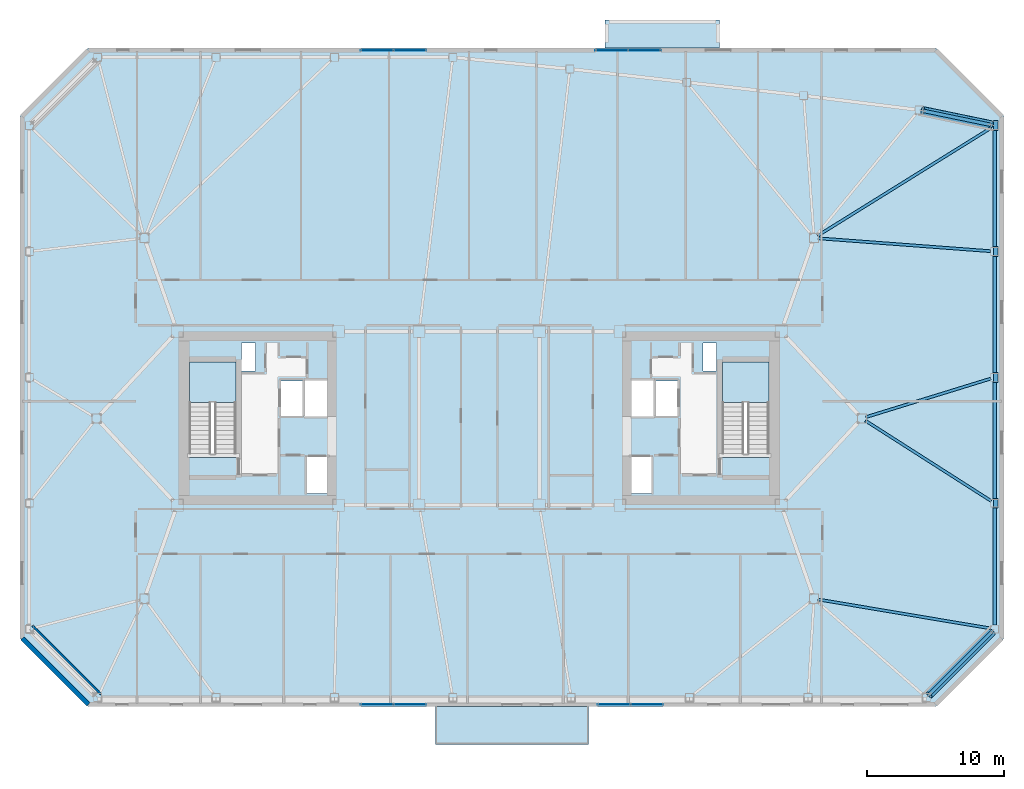
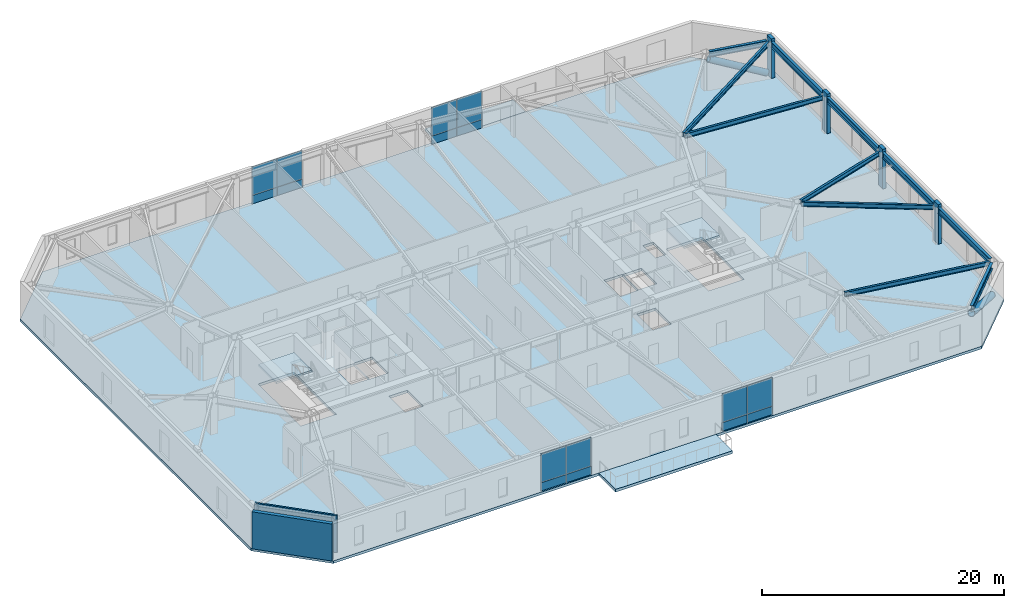
# One storey, part 9 of 19: 16 plates, 11 beams, 6 members, 5 slabs, 2 walls, 6 elements without a shape of their own.
"""IFC4 building model written with IfcOpenShell, lengths in metres."""

from ifc_helpers import new_model, si_unit, direction, frame, frame_2d, origin, origin_2d, place, context, subcontext, project, spatial, polyline, rectangle, hollow_circle, i_section, outline, extrude, material, layer, layer_set, material_profile, profile_set, type_object, element, aggregate, save


model = new_model("IFC4")

# Units and contexts
model_context = context("Model", 3, precision=1e-05, world=origin(), true_north=direction((0.0, 1.0)))
body_context = subcontext(model_context, "Body", "Model", "MODEL_VIEW")
ifc_project = project(units=[si_unit("LENGTHUNIT", "METRE"), si_unit("AREAUNIT", "SQUARE_METRE"), si_unit("VOLUMEUNIT", "CUBIC_METRE"), si_unit("PLANEANGLEUNIT", "RADIAN"), si_unit("MASSUNIT", "GRAM", prefix="KILO")], contexts=[model_context])

# Site, building, storey
site_placement = place(None, origin())
site = spatial("IfcSite", under=ifc_project, at=site_placement, CompositionType="ELEMENT")
building_placement = place(site_placement, origin())
building = spatial("IfcBuilding", under=site, at=building_placement, Name="Tavrogorsk Clinical Tower", CompositionType="ELEMENT")
storey_placement = place(building_placement, frame((0.0, 0.0, 188.199951171875)))
storey = spatial("IfcBuildingStorey", under=building, at=storey_placement, Name="L43", CompositionType="ELEMENT", Elevation=188.199951171875)

# Members
ifc_material_1 = material(Name="Structural steel S440", Category="steel")
ifc_material_profile_1 = material_profile(ifc_material_1, hollow_circle(Radius=0.304931640625, WallThickness=0.02490234375, at=origin_2d()), Name="CHS-610x25")
ifc_profile_set_1 = profile_set([ifc_material_profile_1], Name="Structural steel S440")
member_type_1 = type_object("IfcMemberType", Name="ExoBrace_CHS610", PredefinedType="BRACE", material=ifc_profile_set_1)
member_1_placement = place(storey_placement, frame((37.517333984375, -15.62255859375, 0.4130859375), z_axis=(-0.657738695475, -0.657773644396, 0.3670335696), x_axis=(0.707125566484, -0.70708799539, 0.0)))
element("IfcMember", 1, at=member_1_placement, inside=storey, type_object=member_type_1, Name="L43 Corner Exoskeleton Brace S8-E1", PredefinedType="BRACE", context=body_context, shape_type="SweptSolid", body=[
    extrude(hollow_circle(Radius=0.304931640625, WallThickness=0.02490234375, at=origin_2d()), origin(), (0.0, 0.0, 1.0), 6.985595703125),
])
member_2_placement = place(storey_placement, frame((37.44970703125, 21.47607421875, 0.4365234375), z_axis=(-0.877871206027, 0.181924853718, 0.442996042002), x_axis=(-0.202922555913, -0.979194789764, 0.0)))
element("IfcMember", 2, at=member_2_placement, inside=storey, type_object=member_type_1, Name="L43 Corner Exoskeleton Brace E5-N1", PredefinedType="BRACE", context=body_context, shape_type="SweptSolid", body=[
    extrude(hollow_circle(Radius=0.304931640625, WallThickness=0.02490234375, at=origin_2d()), origin(), (0.0, 0.0, 1.0), 5.681884765625),
])

# Beams
ifc_material_2 = material(Name="Structural steel S355", Category="steel")
ifc_material_profile_2 = material_profile(ifc_material_2, i_section(OverallWidth=0.199951171875, OverallDepth=0.449951171875, WebThickness=0.011474609375, FlangeThickness=0.01806640625, at=origin_2d()), Name="B-450x200x11.5x18")
ifc_profile_set_2 = profile_set([ifc_material_profile_2], Name="Structural steel S355")
beam_type_1 = type_object("IfcBeamType", Name="FloorBeam_B450", PredefinedType="BEAM", material=ifc_profile_set_2)
beam_1_placement = place(storey_placement, frame((24.8056640625, -13.251220703125, 3.51513671875), z_axis=(0.986191418361, -0.165609439197, 0.0), x_axis=(0.165609439197, 0.986191418361, 0.0)))
element("IfcBeam", 3, at=beam_1_placement, inside=storey, type_object=beam_type_1, Name="L43 Radial Floor Beam E1", PredefinedType="BEAM", context=body_context, shape_type="SweptSolid", body=[
    extrude(i_section(OverallWidth=0.199951171875, OverallDepth=0.449951171875, WebThickness=0.011474609375, FlangeThickness=0.01806640625, at=origin_2d()), origin(), (0.0, 0.0, 1.0), 12.787109375),
])
beam_2_placement = place(storey_placement, frame((28.26123046875, -0.1669921875, 3.51513671875), z_axis=(0.842699642064, -0.538383983106, 0.0), x_axis=(0.538383983106, 0.842699642064, 0.0)))
element("IfcBeam", 4, at=beam_2_placement, inside=storey, type_object=beam_type_1, Name="L43 Radial Floor Beam E2", PredefinedType="BEAM", context=body_context, shape_type="SweptSolid", body=[
    extrude(i_section(OverallWidth=0.199951171875, OverallDepth=0.449951171875, WebThickness=0.011474609375, FlangeThickness=0.01806640625, at=origin_2d()), origin(), (0.0, 0.0, 1.0), 10.916259765625),
])
beam_3_placement = place(storey_placement, frame((28.296142578125, 0.09130859375, 3.51513671875), z_axis=(0.955521187686, 0.294922464187, 0.0), x_axis=(-0.294922464187, 0.955521187686, 0.0)))
element("IfcBeam", 5, at=beam_3_placement, inside=storey, type_object=beam_type_1, Name="L43 Radial Floor Beam E3", PredefinedType="BEAM", context=body_context, shape_type="SweptSolid", body=[
    extrude(i_section(OverallWidth=0.199951171875, OverallDepth=0.449951171875, WebThickness=0.011474609375, FlangeThickness=0.01806640625, at=origin_2d()), origin(), (0.0, 0.0, 1.0), 9.5546875),
])
beam_4_placement = place(storey_placement, frame((24.80908203125, 13.1767578125, 3.51513671875), z_axis=(0.997207767172, -0.074677098845, 0.0), x_axis=(0.074677098845, 0.997207767172, 0.0)))
element("IfcBeam", 6, at=beam_4_placement, inside=storey, type_object=beam_type_1, Name="L43 Radial Floor Beam E4", PredefinedType="BEAM", context=body_context, shape_type="SweptSolid", body=[
    extrude(i_section(OverallWidth=0.199951171875, OverallDepth=0.449951171875, WebThickness=0.011474609375, FlangeThickness=0.01806640625, at=origin_2d()), origin(), (0.0, 0.0, 1.0), 12.63916015625),
])
beam_5_placement = place(storey_placement, frame((24.76318359375, 13.36376953125, 3.51513671875), z_axis=(0.849229115923, 0.528024534154, 0.0), x_axis=(-0.528024534154, 0.849229115923, 0.0)))
element("IfcBeam", 7, at=beam_5_placement, inside=storey, type_object=beam_type_1, Name="L43 Radial Floor Beam E5", PredefinedType="BEAM", context=body_context, shape_type="SweptSolid", body=[
    extrude(i_section(OverallWidth=0.199951171875, OverallDepth=0.449951171875, WebThickness=0.011474609375, FlangeThickness=0.01806640625, at=origin_2d()), origin(), (0.0, 0.0, 1.0), 14.94921875),
])

# Members
ifc_material_3 = material(Name="Precast concrete B45 with limestone cladding", Category="masonry")
ifc_material_profile_3 = material_profile(ifc_material_3, rectangle(XDim=0.320068359375, YDim=0.719970703125, at=origin_2d()), Name="LIMESTONE-FIN-320x720")
ifc_profile_set_3 = profile_set([ifc_material_profile_3], Name="Precast concrete B45 with limestone cladding")
member_type_2 = type_object("IfcMemberType", Name="LimestonePleatFin_320x720", PredefinedType="USERDEFINED", material=ifc_profile_set_3)
for number, where, z_axis, x_axis, name in (
    (8, (37.800048828125, -6.2099609375, 0.0), (0.0, 0.0, 1.0), (1.0, 0.0, 0.0), "L43 E Pleated Stone Fin 1"),
    (9, (37.800048828125, 3.0, 0.0), (0.0, 0.0, 1.0), (1.0, 0.0, 0.0), "L43 E Pleated Stone Fin 2"),
    (10, (37.800048828125, 12.2099609375, 0.0), (0.0, 0.0, 1.0), (1.0, 0.0, 0.0), "L43 E Pleated Stone Fin 3"),
    (11, (37.800048828125, 21.419921875, 0.0), (0.0, 0.0, 1.0), (1.0, 0.0, 0.0), "L43 E Pleated Stone Fin 4"),
):
    element("IfcMember", number, at=place(storey_placement, frame(where, z_axis=z_axis, x_axis=x_axis)), inside=storey, type_object=member_type_2, Name=name, ObjectType="FIN", PredefinedType="USERDEFINED", context=body_context, shape_type="SweptSolid", body=[
        extrude(rectangle(XDim=0.320068359375, YDim=0.719970703125, at=origin_2d()), origin(), (0.0, 0.0, 1.0), 4.0),
    ])

# Beams
ifc_material_4 = material(Name="Structural steel S390", Category="steel")
ifc_material_profile_4 = material_profile(ifc_material_4, i_section(OverallWidth=0.260009765625, OverallDepth=0.60009765625, WebThickness=0.014892578125, FlangeThickness=0.02392578125, at=origin_2d()), Name="B-600x260x15x24")
ifc_profile_set_4 = profile_set([ifc_material_profile_4], Name="Structural steel S390")
beam_type_2 = type_object("IfcBeamType", Name="SpandrelBeam_B600", PredefinedType="SPANDREL", material=ifc_profile_set_4)
beam_6_placement = place(storey_placement, frame((32.937744140625, -20.2021484375, 3.43994140625), z_axis=(0.707106781187, 0.707106781187, 0.0), x_axis=(-0.707106781187, 0.707106781187, 0.0)))
element("IfcBeam", 12, at=beam_6_placement, inside=storey, type_object=beam_type_2, Name="L43 Perimeter Spandrel S8-E1", PredefinedType="SPANDREL", context=body_context, shape_type="SweptSolid", body=[
    extrude(i_section(OverallWidth=0.260009765625, OverallDepth=0.60009765625, WebThickness=0.014892578125, FlangeThickness=0.02392578125, at=origin_2d()), origin(), (0.0, 0.0, 1.0), 6.455078125),
])
for number, where, z_axis, x_axis, name in (
    (13, (37.719970703125, -15.112060546875, 3.43994140625), (0.0, 1.0, 0.0), (-1.0, 0.0, 0.0), "L43 Perimeter Spandrel E1-E2"),
    (14, (37.719970703125, -5.902099609375, 3.43994140625), (0.0, 1.0, 0.0), (-1.0, 0.0, 0.0), "L43 Perimeter Spandrel E2-E3"),
    (15, (37.719970703125, 3.30810546875, 3.43994140625), (0.0, 1.0, 0.0), (-1.0, 0.0, 0.0), "L43 Perimeter Spandrel E3-E4"),
    (16, (37.719970703125, 12.51806640625, 3.43994140625), (0.0, 1.0, 0.0), (-1.0, 0.0, 0.0), "L43 Perimeter Spandrel E4-E5"),
):
    element("IfcBeam", number, at=place(storey_placement, frame(where, z_axis=z_axis, x_axis=x_axis)), inside=storey, type_object=beam_type_2, Name=name, PredefinedType="SPANDREL", context=body_context, shape_type="SweptSolid", body=[
        extrude(i_section(OverallWidth=0.260009765625, OverallDepth=0.60009765625, WebThickness=0.014892578125, FlangeThickness=0.02392578125, at=origin_2d()), origin(), (0.0, 0.0, 1.0), 8.593994140625),
    ])
beam_7_placement = place(storey_placement, frame((37.41845703125, 21.482421875, 3.43994140625), z_axis=(-0.979184643877, 0.202971508337, 0.0), x_axis=(-0.202971508337, -0.979184643877, 0.0)))
element("IfcBeam", 17, at=beam_7_placement, inside=storey, type_object=beam_type_2, Name="L43 Perimeter Spandrel E5-N1", PredefinedType="SPANDREL", context=body_context, shape_type="SweptSolid", body=[
    extrude(i_section(OverallWidth=0.260009765625, OverallDepth=0.60009765625, WebThickness=0.014892578125, FlangeThickness=0.02392578125, at=origin_2d()), origin(), (0.0, 0.0, 1.0), 5.0302734375),
])

# Curtain wall, plates
ifc_material_5 = material(Name="Anodised aluminium and triple IGU glazing", Category="aluminium")
ifc_layer_1 = layer(ifc_material_5, 0.179931640625)
ifc_layer_set_1 = layer_set([ifc_layer_1], Name="Anodised aluminium and triple IGU glazing")
curtain_wall_type_1 = type_object("IfcCurtainWallType", Name="CW3_SouthSlot", PredefinedType="NOTDEFINED", material=ifc_layer_set_1)
curtain_wall_1_placement = place(storey_placement, origin())
curtain_wall_1 = element("IfcCurtainWall", 18, at=curtain_wall_1_placement, inside=storey, type_object=curtain_wall_type_1, Name="L43 Curtain Wall CW-L43-S-SLOT-1", PredefinedType="NOTDEFINED")
ifc_material_6 = material(Name="Honed Podolsk limestone spandrel panel", Category="masonry")
ifc_layer_2 = layer(ifc_material_6, 0.080078125)
ifc_layer_set_2 = layer_set([ifc_layer_2], Name="Honed Podolsk limestone spandrel panel")
plate_type_1 = type_object("IfcPlateType", Name="CwSpandrelStonePanel_80", PredefinedType="CURTAIN_PANEL", material=ifc_layer_set_2)
plate_1_placement = place(storey_placement, frame((-7.470947265625, -20.929931640625, 0.002197265625), z_axis=(0.0, 0.0, 1.0), x_axis=(1.0, 0.0, 0.0)))
plate_1 = element("IfcPlate", 19, at=plate_1_placement, type_object=plate_type_1, Name="CW-L43-S-SLOT-1 Stone Spandrel Panel 1", PredefinedType="CURTAIN_PANEL", context=body_context, shape_type="SweptSolid", body=[
    extrude(rectangle(XDim=2.39208984375, YDim=0.080078125, at=origin_2d()), origin(), (0.0, 0.0, 1.0), 0.8359375),
])
plate_2_placement = place(storey_placement, frame((-5.054931640625, -20.929931640625, 0.002197265625), z_axis=(0.0, 0.0, 1.0), x_axis=(1.0, 0.0, 0.0)))
plate_2 = element("IfcPlate", 20, at=plate_2_placement, type_object=plate_type_1, Name="CW-L43-S-SLOT-1 Stone Spandrel Panel 2", PredefinedType="CURTAIN_PANEL", context=body_context, shape_type="SweptSolid", body=[
    extrude(rectangle(XDim=2.39208984375, YDim=0.080078125, at=origin_2d()), origin(), (0.0, 0.0, 1.0), 0.8359375),
])

curtain_wall_2_placement = place(storey_placement, origin())
curtain_wall_2 = element("IfcCurtainWall", 21, at=curtain_wall_2_placement, inside=storey, type_object=curtain_wall_type_1, Name="L43 Curtain Wall CW-L43-S-SLOT-2", PredefinedType="NOTDEFINED")
plate_3_placement = place(storey_placement, frame((9.854736328125, -20.929931640625, 0.002197265625), z_axis=(0.0, 0.0, 1.0), x_axis=(1.0, 0.0, 0.0)))
plate_3 = element("IfcPlate", 22, at=plate_3_placement, type_object=plate_type_1, Name="CW-L43-S-SLOT-2 Stone Spandrel Panel 1", PredefinedType="CURTAIN_PANEL", context=body_context, shape_type="SweptSolid", body=[
    extrude(rectangle(XDim=2.39208984375, YDim=0.080078125, at=origin_2d()), origin(), (0.0, 0.0, 1.0), 0.8359375),
])
plate_4_placement = place(storey_placement, frame((12.270751953125, -20.929931640625, 0.002197265625), z_axis=(0.0, 0.0, 1.0), x_axis=(1.0, 0.0, 0.0)))
plate_4 = element("IfcPlate", 23, at=plate_4_placement, type_object=plate_type_1, Name="CW-L43-S-SLOT-2 Stone Spandrel Panel 2", PredefinedType="CURTAIN_PANEL", context=body_context, shape_type="SweptSolid", body=[
    extrude(rectangle(XDim=2.39208984375, YDim=0.080078125, at=origin_2d()), origin(), (0.0, 0.0, 1.0), 0.8359375),
])

ifc_material_7 = material(Name="Anodised aluminium and triple IGU glazing", Category="aluminium")
ifc_layer_3 = layer(ifc_material_7, 0.179931640625)
ifc_layer_set_3 = layer_set([ifc_layer_3], Name="Anodised aluminium and triple IGU glazing")
curtain_wall_type_2 = type_object("IfcCurtainWallType", Name="CW2_NorthSlot", PredefinedType="NOTDEFINED", material=ifc_layer_set_3)
curtain_wall_3_placement = place(storey_placement, origin())
curtain_wall_3 = element("IfcCurtainWall", 24, at=curtain_wall_3_placement, inside=storey, type_object=curtain_wall_type_2, Name="L43 Curtain Wall CW-L43-N-SLOT-1", PredefinedType="NOTDEFINED")
plate_5_placement = place(storey_placement, frame((-5.054931640625, 26.929931640625, 0.002197265625), z_axis=(0.0, 0.0, 1.0), x_axis=(-1.0, 0.0, 0.0)))
plate_5 = element("IfcPlate", 25, at=plate_5_placement, type_object=plate_type_1, Name="CW-L43-N-SLOT-1 Stone Spandrel Panel 1", PredefinedType="CURTAIN_PANEL", context=body_context, shape_type="SweptSolid", body=[
    extrude(rectangle(XDim=2.39208984375, YDim=0.080078125, at=origin_2d()), origin(), (0.0, 0.0, 1.0), 0.8359375),
])
plate_6_placement = place(storey_placement, frame((-7.470947265625, 26.929931640625, 0.002197265625), z_axis=(0.0, 0.0, 1.0), x_axis=(-1.0, 0.0, 0.0)))
plate_6 = element("IfcPlate", 26, at=plate_6_placement, type_object=plate_type_1, Name="CW-L43-N-SLOT-1 Stone Spandrel Panel 2", PredefinedType="CURTAIN_PANEL", context=body_context, shape_type="SweptSolid", body=[
    extrude(rectangle(XDim=2.39208984375, YDim=0.080078125, at=origin_2d()), origin(), (0.0, 0.0, 1.0), 0.8359375),
])

curtain_wall_4_placement = place(storey_placement, origin())
curtain_wall_4 = element("IfcCurtainWall", 27, at=curtain_wall_4_placement, inside=storey, type_object=curtain_wall_type_2, Name="L43 Curtain Wall CW-L43-N-SLOT-2", PredefinedType="NOTDEFINED")
plate_7_placement = place(storey_placement, frame((12.1181640625, 26.929931640625, 0.002197265625), z_axis=(0.0, 0.0, 1.0), x_axis=(-1.0, 0.0, 0.0)))
plate_7 = element("IfcPlate", 28, at=plate_7_placement, type_object=plate_type_1, Name="CW-L43-N-SLOT-2 Stone Spandrel Panel 1", PredefinedType="CURTAIN_PANEL", context=body_context, shape_type="SweptSolid", body=[
    extrude(rectangle(XDim=2.39208984375, YDim=0.080078125, at=origin_2d()), origin(), (0.0, 0.0, 1.0), 0.8359375),
])
plate_8_placement = place(storey_placement, frame((9.7021484375, 26.929931640625, 0.002197265625), z_axis=(0.0, 0.0, 1.0), x_axis=(-1.0, 0.0, 0.0)))
plate_8 = element("IfcPlate", 29, at=plate_8_placement, type_object=plate_type_1, Name="CW-L43-N-SLOT-2 Stone Spandrel Panel 2", PredefinedType="CURTAIN_PANEL", context=body_context, shape_type="SweptSolid", body=[
    extrude(rectangle(XDim=2.39208984375, YDim=0.080078125, at=origin_2d()), origin(), (0.0, 0.0, 1.0), 0.8359375),
])

# Plate
ifc_material_8 = material(Name="Triple low-E argon insulated glass", Category="glass")
ifc_layer_4 = layer(ifc_material_8, 0.048095703125)
ifc_layer_set_4 = layer_set([ifc_layer_4], Name="Triple low-E argon insulated glass")
plate_type_2 = type_object("IfcPlateType", Name="CwVisionGlassPanel_48", PredefinedType="CURTAIN_PANEL", material=ifc_layer_set_4)
plate_9_placement = place(storey_placement, frame((-7.470947265625, -20.929931640625, 0.862060546875), z_axis=(0.0, 0.0, 1.0), x_axis=(1.0, 0.0, 0.0)))
plate_9 = element("IfcPlate", 30, at=plate_9_placement, type_object=plate_type_2, Name="CW-L43-S-SLOT-1 Glazing Panel 1", PredefinedType="CURTAIN_PANEL", context=body_context, shape_type="SweptSolid", body=[
    extrude(rectangle(XDim=2.39208984375, YDim=0.048095703125, at=origin_2d()), origin(), (0.0, 0.0, 1.0), 2.8759765625),
])

plate_10_placement = place(storey_placement, frame((-5.054931640625, -20.929931640625, 0.862060546875), z_axis=(0.0, 0.0, 1.0), x_axis=(1.0, 0.0, 0.0)))
plate_10 = element("IfcPlate", 31, at=plate_10_placement, type_object=plate_type_2, Name="CW-L43-S-SLOT-1 Glazing Panel 2", PredefinedType="CURTAIN_PANEL", context=body_context, shape_type="SweptSolid", body=[
    extrude(rectangle(XDim=2.39208984375, YDim=0.048095703125, at=origin_2d()), origin(), (0.0, 0.0, 1.0), 2.8759765625),
])

aggregate(curtain_wall_1, [plate_1, plate_9, plate_2, plate_10])

plate_11_placement = place(storey_placement, frame((9.854736328125, -20.929931640625, 0.862060546875), z_axis=(0.0, 0.0, 1.0), x_axis=(1.0, 0.0, 0.0)))
plate_11 = element("IfcPlate", 32, at=plate_11_placement, type_object=plate_type_2, Name="CW-L43-S-SLOT-2 Glazing Panel 1", PredefinedType="CURTAIN_PANEL", context=body_context, shape_type="SweptSolid", body=[
    extrude(rectangle(XDim=2.39208984375, YDim=0.048095703125, at=origin_2d()), origin(), (0.0, 0.0, 1.0), 2.8759765625),
])

plate_12_placement = place(storey_placement, frame((12.270751953125, -20.929931640625, 0.862060546875), z_axis=(0.0, 0.0, 1.0), x_axis=(1.0, 0.0, 0.0)))
plate_12 = element("IfcPlate", 33, at=plate_12_placement, type_object=plate_type_2, Name="CW-L43-S-SLOT-2 Glazing Panel 2", PredefinedType="CURTAIN_PANEL", context=body_context, shape_type="SweptSolid", body=[
    extrude(rectangle(XDim=2.39208984375, YDim=0.048095703125, at=origin_2d()), origin(), (0.0, 0.0, 1.0), 2.8759765625),
])

aggregate(curtain_wall_2, [plate_3, plate_11, plate_4, plate_12])

plate_13_placement = place(storey_placement, frame((-5.054931640625, 26.929931640625, 0.862060546875), z_axis=(0.0, 0.0, 1.0), x_axis=(-1.0, 0.0, 0.0)))
plate_13 = element("IfcPlate", 34, at=plate_13_placement, type_object=plate_type_2, Name="CW-L43-N-SLOT-1 Glazing Panel 1", PredefinedType="CURTAIN_PANEL", context=body_context, shape_type="SweptSolid", body=[
    extrude(rectangle(XDim=2.39208984375, YDim=0.048095703125, at=origin_2d()), origin(), (0.0, 0.0, 1.0), 2.8759765625),
])

plate_14_placement = place(storey_placement, frame((-7.470947265625, 26.929931640625, 0.862060546875), z_axis=(0.0, 0.0, 1.0), x_axis=(-1.0, 0.0, 0.0)))
plate_14 = element("IfcPlate", 35, at=plate_14_placement, type_object=plate_type_2, Name="CW-L43-N-SLOT-1 Glazing Panel 2", PredefinedType="CURTAIN_PANEL", context=body_context, shape_type="SweptSolid", body=[
    extrude(rectangle(XDim=2.39208984375, YDim=0.048095703125, at=origin_2d()), origin(), (0.0, 0.0, 1.0), 2.8759765625),
])

aggregate(curtain_wall_3, [plate_5, plate_13, plate_6, plate_14])

plate_15_placement = place(storey_placement, frame((12.1181640625, 26.929931640625, 0.862060546875), z_axis=(0.0, 0.0, 1.0), x_axis=(-1.0, 0.0, 0.0)))
plate_15 = element("IfcPlate", 36, at=plate_15_placement, type_object=plate_type_2, Name="CW-L43-N-SLOT-2 Glazing Panel 1", PredefinedType="CURTAIN_PANEL", context=body_context, shape_type="SweptSolid", body=[
    extrude(rectangle(XDim=2.39208984375, YDim=0.048095703125, at=origin_2d()), origin(), (0.0, 0.0, 1.0), 2.8759765625),
])

plate_16_placement = place(storey_placement, frame((9.7021484375, 26.929931640625, 0.862060546875), z_axis=(0.0, 0.0, 1.0), x_axis=(-1.0, 0.0, 0.0)))
plate_16 = element("IfcPlate", 37, at=plate_16_placement, type_object=plate_type_2, Name="CW-L43-N-SLOT-2 Glazing Panel 2", PredefinedType="CURTAIN_PANEL", context=body_context, shape_type="SweptSolid", body=[
    extrude(rectangle(XDim=2.39208984375, YDim=0.048095703125, at=origin_2d()), origin(), (0.0, 0.0, 1.0), 2.8759765625),
])

aggregate(curtain_wall_4, [plate_7, plate_15, plate_8, plate_16])

# Slab
ifc_material_9 = material(Name="Concrete B60", Category="concrete")
ifc_layer_5 = layer(ifc_material_9, 0.239990234375)
ifc_layer_set_5 = layer_set([ifc_layer_5], Name="Concrete B60")
slab_type_1 = type_object("IfcSlabType", Name="DayroomSlab_240", PredefinedType="FLOOR", material=ifc_layer_set_5)
slab_1_placement = place(storey_placement, frame((0.0, 0.0, -0.239990234375)))
element("IfcSlab", 38, at=slab_1_placement, inside=storey, type_object=slab_type_1, Name="L43 Day-Room Box Roof DRB-06", PredefinedType="ROOF", context=body_context, shape_type="SweptSolid", body=[
    extrude(outline(polyline([(9.199951171875, 29.14990234375), (17.60009765625, 29.14990234375), (17.60009765625, 27.10009765625), (9.199951171875, 27.10009765625), (9.199951171875, 29.14990234375)])), origin(), (0.0, 0.0, 1.0), 0.239990234375),
])

# Stair, slab
ifc_material_10 = material(Name="Concrete B60", Category="concrete")
stair_type = type_object("IfcStairType", Name="CoreStairAssembly", PredefinedType="HALF_TURN_STAIR", material=ifc_material_10)
stair_1_placement = place(storey_placement, origin())
stair_1 = element("IfcStair", 39, at=stair_1_placement, inside=storey, type_object=stair_type, Name="L43 ST-W", PredefinedType="HALF_TURN_STAIR")
ifc_material_11 = material(Name="Concrete B60", Category="concrete")
ifc_layer_6 = layer(ifc_material_11, 0.199951171875)
ifc_layer_set_6 = layer_set([ifc_layer_6], Name="Concrete B60")
slab_type_2 = type_object("IfcSlabType", Name="StairLanding_200", PredefinedType="LANDING", material=ifc_layer_set_6)
slab_2_placement = place(storey_placement, frame((0.0, 0.0, 1.800048828125)))
slab_2 = element("IfcSlab", 40, at=slab_2_placement, type_object=slab_type_2, Name="ST-W landing 1", PredefinedType="LANDING", context=body_context, shape_type="SweptSolid", body=[
    extrude(outline(polyline([(-17.800048828125, 1.1650390625), (-17.800048828125, 4.125), (-21.199951171875, 4.125), (-21.199951171875, 1.1650390625), (-17.800048828125, 1.1650390625)])), origin(), (0.0, 0.0, 1.0), 0.199951171875),
])
aggregate(stair_1, [slab_2])

stair_2_placement = place(storey_placement, origin())
stair_2 = element("IfcStair", 41, at=stair_2_placement, inside=storey, type_object=stair_type, Name="L43 ST-E", PredefinedType="HALF_TURN_STAIR")
slab_3_placement = place(storey_placement, frame((0.0, 0.0, 1.800048828125)))
slab_3 = element("IfcSlab", 42, at=slab_3_placement, type_object=slab_type_2, Name="ST-E landing 1", PredefinedType="LANDING", context=body_context, shape_type="SweptSolid", body=[
    extrude(outline(polyline([(21.199951171875, 1.1650390625), (21.199951171875, 4.125), (17.800048828125, 4.125), (17.800048828125, 1.1650390625), (21.199951171875, 1.1650390625)])), origin(), (0.0, 0.0, 1.0), 0.199951171875),
])
aggregate(stair_2, [slab_3])

# Slabs
ifc_material_12 = material(Name="Concrete B60", Category="concrete")
ifc_layer_7 = layer(ifc_material_12, 0.280029296875)
ifc_layer_set_7 = layer_set([ifc_layer_7], Name="Concrete B60")
slab_type_3 = type_object("IfcSlabType", Name="TerraceRoofSlab_280", PredefinedType="ROOF", material=ifc_layer_set_7)
slab_4_placement = place(storey_placement, frame((0.0, 0.0, -0.280029296875)))
element("IfcSlab", 43, at=slab_4_placement, inside=storey, type_object=slab_type_3, Name="Spiralling Recuperation Terrace Slab", PredefinedType="ROOF", context=body_context, shape_type="SweptSolid", body=[
    extrude(outline(polyline([(8.0, -23.85009765625), (-3.199951171875, -23.85009765625), (-3.199951171875, -21.10009765625), (8.0, -21.10009765625), (8.0, -23.85009765625)])), origin(), (0.0, 0.0, 1.0), 0.280029296875),
])
ifc_material_13 = material(Name="Concrete B60", Category="concrete")
ifc_layer_8 = layer(ifc_material_13, 0.260009765625)
ifc_layer_set_8 = layer_set([ifc_layer_8], Name="Concrete B60")
slab_type_4 = type_object("IfcSlabType", Name="WardSlab_260", PredefinedType="FLOOR", material=ifc_layer_set_8)
slab_5_placement = place(storey_placement, frame((0.0, 0.0, -0.260009765625)))
element("IfcSlab", 44, at=slab_5_placement, inside=storey, type_object=slab_type_4, Name="L43 Structural Slab", PredefinedType="FLOOR", context=body_context, shape_type="SweptSolid", body=[
    extrude(outline(polyline([(-28.60009765625, -21.10009765625), (33.39990234375, -21.10009765625), (38.39990234375, -16.10009765625), (38.39990234375, 22.10009765625), (33.39990234375, 27.10009765625), (-28.60009765625, 27.10009765625), (-33.60009765625, 22.10009765625), (-33.60009765625, -16.10009765625), (-28.60009765625, -21.10009765625)]), holes=[polyline([(-17.800048828125, -2.8798828125), (-17.800048828125, 4.125), (-21.199951171875, 4.125), (-21.199951171875, -2.8798828125), (-17.800048828125, -2.8798828125)]), polyline([(21.199951171875, -2.8798828125), (21.199951171875, 4.125), (17.800048828125, 4.125), (17.800048828125, -2.8798828125), (21.199951171875, -2.8798828125)]), polyline([(-14.6201171875, 0.169921875), (-12.860107421875, 0.169921875), (-12.860107421875, 2.72998046875), (-14.6201171875, 2.72998046875), (-14.6201171875, 0.169921875)]), polyline([(-12.72998046875, -5.47998046875), (-10.969970703125, -5.47998046875), (-10.969970703125, -2.820068359375), (-12.72998046875, -2.820068359375), (-12.72998046875, -5.47998046875)]), polyline([(-12.840087890625, 0.1201171875), (-11.080078125, 0.1201171875), (-11.080078125, 2.780029296875), (-12.840087890625, 2.780029296875), (-12.840087890625, 0.1201171875)]), polyline([(12.860107421875, 0.169921875), (14.6201171875, 0.169921875), (14.6201171875, 2.72998046875), (12.860107421875, 2.72998046875), (12.860107421875, 0.169921875)]), polyline([(10.969970703125, -5.47998046875), (12.72998046875, -5.47998046875), (12.72998046875, -2.820068359375), (10.969970703125, -2.820068359375), (10.969970703125, -5.47998046875)]), polyline([(11.080078125, 0.1201171875), (12.840087890625, 0.1201171875), (12.840087890625, 2.780029296875), (11.080078125, 2.780029296875), (11.080078125, 0.1201171875)]), polyline([(-17.3798828125, 3.449951171875), (-16.3798828125, 3.449951171875), (-16.3798828125, 5.5), (-17.3798828125, 5.5), (-17.3798828125, 3.449951171875)]), polyline([(16.3798828125, 3.449951171875), (17.3798828125, 3.449951171875), (17.3798828125, 5.5), (16.3798828125, 5.5), (16.3798828125, 3.449951171875)])]), origin(), (0.0, 0.0, 1.0), 0.260009765625),
])

# Walls
ifc_material_14 = material(Name="Lightweight concrete blockwork B15", Category="masonry")
ifc_layer_9 = layer(ifc_material_14, 0.159912109375)
ifc_layer_set_9 = layer_set([ifc_layer_9], Name="Lightweight concrete blockwork B15")
wall_type_1 = type_object("IfcWallType", Name="PartitionWall_160", PredefinedType="PARTITIONING", material=ifc_layer_set_9)
wall_1_placement = place(storey_placement, frame((-32.6796875, -15.1796875, 0.0), z_axis=(0.0, 0.0, 1.0), x_axis=(0.707106781187, -0.707106781187, 0.0)))
element("IfcWall", 45, at=wall_1_placement, inside=storey, type_object=wall_type_1, Name="L43 Corner Exoskeleton Brace Furring Wall 4", PredefinedType="PARTITIONING", context=body_context, shape_type="SweptSolid", body=[
    extrude(rectangle(XDim=7.071044921875, YDim=0.159912109375, at=frame_2d((3.53564453125, 0.0))), origin(), (0.0, 0.0, 1.0), 3.739990234375),
])
ifc_material_15 = material(Name="Precast concrete B45 with limestone cladding", Category="masonry")
ifc_layer_10 = layer(ifc_material_15, 0.340087890625)
ifc_layer_set_10 = layer_set([ifc_layer_10], Name="Precast concrete B45 with limestone cladding")
wall_type_2 = type_object("IfcWallType", Name="PrecastLimestoneWall_340", PredefinedType="STANDARD", material=ifc_layer_set_10)
wall_2_placement = place(storey_placement, frame((-33.429931640625, -16.10009765625, 0.0), z_axis=(0.0, 0.0, 1.0), x_axis=(0.707106781187, -0.707106781187, 0.0)))
element("IfcWall", 46, at=wall_2_placement, inside=storey, type_object=wall_type_2, Name="L43 Chamfered Corner Wall 4", PredefinedType="STANDARD", context=body_context, shape_type="SweptSolid", body=[
    extrude(rectangle(XDim=6.830322265625, YDim=0.340087890625, at=frame_2d((3.4150390625, 0.0))), origin(), (0.0, 0.0, 1.0), 3.739990234375),
])

save(model, "model.ifc")
